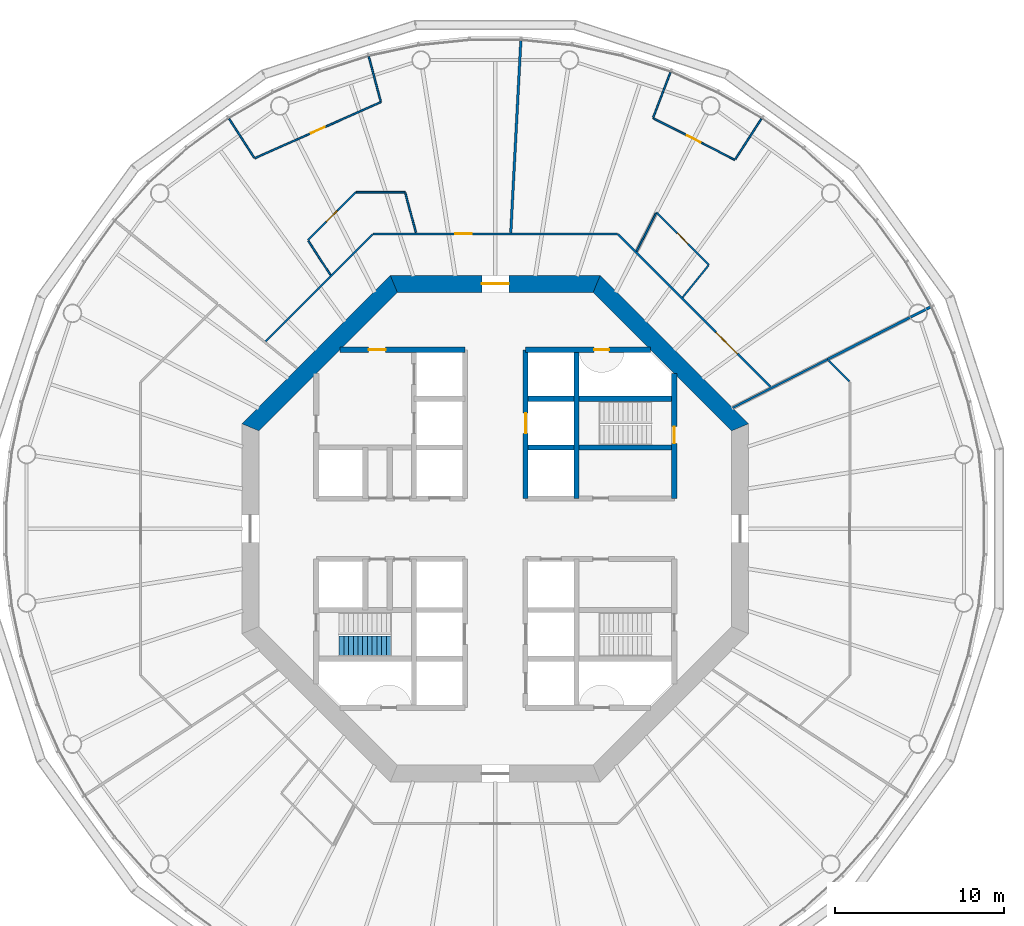
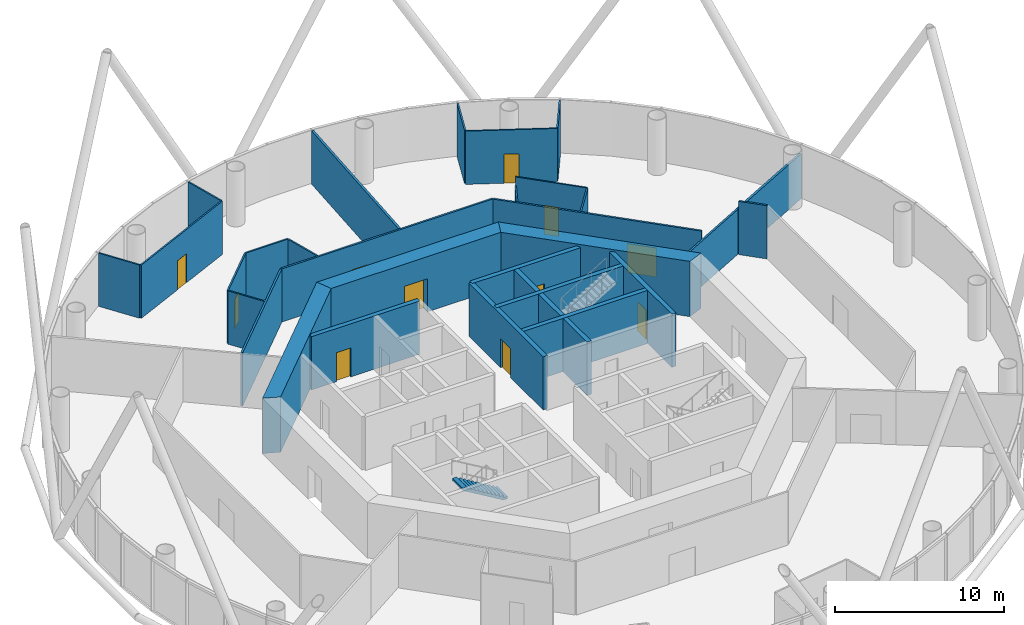
# One storey, part 5 of 13: 30 walls, 11 doors, 1 stair flight, 11 openings, 1 element without a shape of its own.
"""IFC4 building model written with IfcOpenShell, lengths in metres."""

import ifcopenshell
import ifcopenshell.guid

model = None  # the IFC model being written
_history = None  # IfcOwnerHistory: only IFC2X3 demands one
_inside = {}  # id of a spatial element -> (the spatial element, [elements in it])
_under = {}  # id of a project, library or spatial element -> (it, [spatial elements below it])
_declared = {}  # id of a project -> (the project, [libraries it declares])
_typed = {}  # id of a type object -> (the type object, [elements of that type])
_made_of = {}  # id of a material, layer set ... -> (it, [elements and type objects made of it])


def new_model(schema):
    """Start an empty IFC model of exactly this schema.

    Asked for "IFC4X3", IfcOpenShell would pick the latest addendum, in which some entities
    have other attributes; the version numbers below select the first issue.
    IFC2X3 requires an IfcOwnerHistory on every rooted entity: one is made here for all.
    """
    global model, _history
    if schema == "IFC4X3":
        model = ifcopenshell.file(schema_version=(4, 3, 0, 0))
    else:
        model = ifcopenshell.file(schema=schema)
    _inside.clear()
    _under.clear()
    _declared.clear()
    _typed.clear()
    _made_of.clear()
    _history = None
    if model.schema == "IFC2X3":
        org = make("IfcOrganization", Name="unknown")
        user = make(
            "IfcPersonAndOrganization",
            ThePerson=make("IfcPerson", FamilyName="unknown"),
            TheOrganization=org,
        )
        app = make(
            "IfcApplication",
            ApplicationDeveloper=org,
            Version="unknown",
            ApplicationFullName="unknown",
            ApplicationIdentifier="unknown",
        )
        _history = make(
            "IfcOwnerHistory",
            OwningUser=user,
            OwningApplication=app,
            ChangeAction="ADDED",
            CreationDate=0,
        )
    return model


def make(cls, **values):
    """One entity of the class cls with the attributes given. An attribute that is None is left unset."""
    return model.create_entity(
        cls, **{name: value for name, value in values.items() if value is not None}
    )


def rooted(cls, **values):
    """An entity with a GlobalId (a new one), such as an element, a storey or a relation."""
    return make(cls, GlobalId=ifcopenshell.guid.new(), OwnerHistory=_history, **values)


def si_unit(unit_type, name, prefix=None):
    """IfcSIUnit, for example si_unit("LENGTHUNIT", "METRE", prefix="MILLI")."""
    return make("IfcSIUnit", UnitType=unit_type, Prefix=prefix, Name=name)


def assignment(units):
    """IfcUnitAssignment: the units of a project."""
    return None if units is None else make("IfcUnitAssignment", Units=units)


def point(xyz):
    """IfcCartesianPoint."""
    return None if xyz is None else make("IfcCartesianPoint", Coordinates=xyz)


def direction(xyz):
    """IfcDirection."""
    return None if xyz is None else make("IfcDirection", DirectionRatios=xyz)


def frame(location, z_axis=None, x_axis=None):
    """IfcAxis2Placement3D, a coordinate frame: its origin and axes. An axis left out is left unset."""
    return make(
        "IfcAxis2Placement3D",
        Location=point(location),
        Axis=direction(z_axis),
        RefDirection=direction(x_axis),
    )


def frame_2d(location, x_axis=None):
    """IfcAxis2Placement2D, a coordinate frame in the plane: its origin and x axis."""
    return make(
        "IfcAxis2Placement2D", Location=point(location), RefDirection=direction(x_axis)
    )


def origin():
    """The frame at (0, 0, 0) with its axes left unset."""
    return frame((0.0, 0.0, 0.0))


def place(relative_to, where):
    """IfcLocalPlacement: puts the frame where relative to a parent placement (None: the world)."""
    return make(
        "IfcLocalPlacement", PlacementRelTo=relative_to, RelativePlacement=where
    )


def context(
    kind, dimensions, precision=None, world=None, true_north=None, identifier=None
):
    """IfcGeometricRepresentationContext, for example the 3D "Model" context."""
    return make(
        "IfcGeometricRepresentationContext",
        ContextIdentifier=identifier,
        ContextType=kind,
        CoordinateSpaceDimension=dimensions,
        Precision=precision,
        WorldCoordinateSystem=world,
        TrueNorth=true_north,
    )


def subcontext(parent, identifier, kind, view, scale=None):
    """IfcGeometricRepresentationSubContext, for example "Body" below "Model"."""
    return make(
        "IfcGeometricRepresentationSubContext",
        ContextIdentifier=identifier,
        ContextType=kind,
        ParentContext=parent,
        TargetScale=scale,
        TargetView=view,
    )


def project(units=None, contexts=None):
    """IfcProject with its units and contexts."""
    return rooted(
        "IfcProject",
        Name="project",
        RepresentationContexts=contexts,
        UnitsInContext=assignment(units),
    )


def spatial(cls, under=None, at=None, **own):
    """A site, building, storey or space (cls), placed at a placement, below another one or the project."""
    s = rooted(cls, ObjectPlacement=at, **own)
    if under is not None:
        _under.setdefault(under.id(), (under, []))[1].append(s)
    return s


def polyline(points):
    """IfcPolyline through the points."""
    return make("IfcPolyline", Points=[point(p) for p in points])


def profile(cls, at=None, kind="AREA", **sizes):
    """A parametric profile (cls). Its sizes go by their IFC names, for example OverallWidth=200.0."""
    return make(cls, ProfileType=kind, Position=at, **sizes)


def rectangle(**sizes):
    """IfcRectangleProfileDef."""
    return profile("IfcRectangleProfileDef", **sizes)


def outline(outer, holes=None, kind="AREA"):
    """IfcArbitraryClosedProfileDef: a profile drawn as a closed curve; with holes, ...WithVoids."""
    if holes is None:
        return make("IfcArbitraryClosedProfileDef", ProfileType=kind, OuterCurve=outer)
    return make(
        "IfcArbitraryProfileDefWithVoids",
        ProfileType=kind,
        OuterCurve=outer,
        InnerCurves=holes,
    )


def extrude(swept, where, along, depth):
    """IfcExtrudedAreaSolid: the profile swept, set in the frame where, extruded along a direction by depth."""
    return make(
        "IfcExtrudedAreaSolid",
        SweptArea=swept,
        Position=where,
        ExtrudedDirection=direction(along),
        Depth=depth,
    )


def shape(context_of_items, identifier, shape_type, items):
    """IfcShapeRepresentation: the items that make up one representation, for example the "Body"."""
    return make(
        "IfcShapeRepresentation",
        ContextOfItems=context_of_items,
        RepresentationIdentifier=identifier,
        RepresentationType=shape_type,
        Items=items,
    )


def material(Name=None, Category=None):
    """IfcMaterial."""
    return make("IfcMaterial", Name=Name, Category=Category)


def layer(
    of_material, thickness, ventilated=None, Name=None, Category=None, Priority=None
):
    """IfcMaterialLayer: one layer of a wall or slab, of a material (None: an air gap)."""
    return make(
        "IfcMaterialLayer",
        Material=of_material,
        LayerThickness=thickness,
        IsVentilated=ventilated,
        Name=Name,
        Category=Category,
        Priority=Priority,
    )


def layer_set(layers, Name=None):
    """IfcMaterialLayerSet."""
    return make("IfcMaterialLayerSet", MaterialLayers=layers, LayerSetName=Name)


def made_of(thing, what):
    """Note that an element or type object is made of a material, layer set ...; save() writes the relation."""
    if what is not None:
        _made_of.setdefault(what.id(), (what, []))[1].append(thing)
    return thing


def type_object(cls, material=None, **own):
    """A type object (cls), such as IfcWallType, which elements share."""
    return made_of(rooted(cls, **own), material)


def element(
    cls,
    number,
    at=None,
    inside=None,
    cuts=None,
    type_object=None,
    material=None,
    context=None,
    identifier="Body",
    shape_type=None,
    held_by="IfcProductDefinitionShape",
    body=None,
    shapes=None,
    **own,
):
    """One element of the class cls, such as IfcWall. Its Tag is "e" and its number.

    at: its placement. inside: the storey or other place that contains it. cuts: it is an
    opening in that element (IfcRelVoidsElement). A single representation is given by context,
    identifier, shape_type and body (its items); several are given by shapes. held_by: the class
    of the entity that holds the representations. save() writes the other relations.
    """
    e = rooted(cls, Tag="e%d" % number, ObjectPlacement=at, **own)
    if body is not None:
        shapes = [shape(context, identifier, shape_type, body)]
    if shapes is not None:
        e.Representation = make(held_by, Representations=shapes)
    if inside is not None:
        _inside.setdefault(inside.id(), (inside, []))[1].append(e)
    if cuts is not None:
        rooted(
            "IfcRelVoidsElement", RelatingBuildingElement=cuts, RelatedOpeningElement=e
        )
    if type_object is not None:
        _typed.setdefault(type_object.id(), (type_object, []))[1].append(e)
    return made_of(e, material)


def fill(opening, filler):
    """IfcRelFillsElement: the door or window that sits in an opening."""
    return rooted(
        "IfcRelFillsElement",
        RelatingOpeningElement=opening,
        RelatedBuildingElement=filler,
    )


def aggregate(whole, parts):
    """IfcRelAggregates: a whole, such as a stair, and the parts it consists of."""
    return rooted("IfcRelAggregates", RelatingObject=whole, RelatedObjects=parts)


def save(model, path):
    """Write the relations noted so far, then the file.

    IfcRelAggregates (storeys below a building ...), IfcRelContainedInSpatialStructure (elements
    in a storey), IfcRelDefinesByType, IfcRelAssociatesMaterial and IfcRelDeclares: one each for
    every whole, place, type object, material and project.
    """
    for whole, parts in _under.values():
        aggregate(whole, parts)
    for where, things in _inside.values():
        rooted(
            "IfcRelContainedInSpatialStructure",
            RelatedElements=things,
            RelatingStructure=where,
        )
    for kind, things in _typed.values():
        rooted("IfcRelDefinesByType", RelatedObjects=things, RelatingType=kind)
    for what, things in _made_of.values():
        rooted("IfcRelAssociatesMaterial", RelatedObjects=things, RelatingMaterial=what)
    for by, libraries in _declared.values():
        rooted("IfcRelDeclares", RelatingContext=by, RelatedDefinitions=libraries)
    model.write(path)


model = new_model("IFC4")

# Units and contexts
model_context = context("Model", 3, precision=1e-05, world=origin(), true_north=direction((0.0, 1.0)))
body_context = subcontext(model_context, "Body", "Model", "MODEL_VIEW")
ifc_project = project(units=[si_unit("LENGTHUNIT", "METRE"), si_unit("AREAUNIT", "SQUARE_METRE"), si_unit("VOLUMEUNIT", "CUBIC_METRE"), si_unit("PLANEANGLEUNIT", "RADIAN"), si_unit("MASSUNIT", "GRAM", prefix="KILO")], contexts=[model_context])

# Site, building, storey
site_placement = place(None, origin())
site = spatial("IfcSite", under=ifc_project, at=site_placement, CompositionType="ELEMENT")
building_placement = place(site_placement, origin())
building = spatial("IfcBuilding", under=site, at=building_placement, Name="Entoto Ring Tower", CompositionType="ELEMENT")
storey_placement = place(building_placement, frame((0.0, 0.0, 164.0)))
storey = spatial("IfcBuildingStorey", under=building, at=storey_placement, Name="L37", CompositionType="ELEMENT", Elevation=164.0)

# Wall, opening, door
ifc_material_1 = material(Name="Concrete C40/50", Category="concrete")
ifc_layer_1 = layer(ifc_material_1, 0.300048828125)
ifc_layer_set_1 = layer_set([ifc_layer_1], Name="Concrete C40/50")
wall_type_1 = type_object("IfcWallType", Name="Core enclosure wall 300 mm reinforced concrete", PredefinedType="SOLIDWALL", material=ifc_layer_set_1)
wall_1_placement = place(storey_placement, frame((100.60009765625, 81.800048828125, 0.0), z_axis=(0.0, 0.0, 1.0), x_axis=(0.0, 1.0, 0.0)))
wall_1 = element("IfcWall", 1, at=wall_1_placement, inside=storey, type_object=wall_type_1, Name="wall-L37-002", PredefinedType="SOLIDWALL", context=body_context, shape_type="SweptSolid", body=[
    extrude(rectangle(XDim=7.39892578125, YDim=0.300048828125, at=frame_2d((3.699462890625, 0.0))), origin(), (0.0, 0.0, 1.0), 3.85009765625),
])
opening_1_placement = place(wall_1_placement, frame((3.25, 0.0, 0.0)))
opening_1 = element("IfcOpeningElement", 2, at=opening_1_placement, cuts=wall_1, Name="Opening K-17", PredefinedType="OPENING", context=body_context, shape_type="SweptSolid", body=[
    extrude(rectangle(XDim=1.0, YDim=2.10009765625, at=frame_2d((0.5, 1.050048828125))), frame((0.0, 0.16015625, 0.0), z_axis=(0.0, -1.0, 0.0), x_axis=(1.0, 0.0, 0.0)), (0.0, 0.0, 1.0), 0.320068359375),
])
ifc_material_2 = material(Name="Steel door leaf, fire rated", Category="steel")
ifc_layer_2 = layer(ifc_material_2, 0.050048828125)
ifc_layer_set_2 = layer_set([ifc_layer_2], Name="Steel door leaf, fire rated")
door_type_1 = type_object("IfcDoorType", Name="Fire door FD60 1000 x 2100 single leaf", OperationType="NOTDEFINED", PredefinedType="DOOR", material=ifc_layer_set_2)
door_1_placement = place(opening_1_placement, origin())
door_1 = element("IfcDoor", 3, at=door_1_placement, inside=storey, type_object=door_type_1, Name="Door K-17", OperationType="SINGLE_SWING_LEFT", OverallHeight=2.10009765625, OverallWidth=1.0, PredefinedType="DOOR", context=body_context, shape_type="SweptSolid", body=[
    extrude(rectangle(XDim=1.0, YDim=2.10009765625, at=frame_2d((0.5, 1.050048828125))), frame((0.0, 0.02490234375, 0.0), z_axis=(0.0, -1.0, 0.0), x_axis=(1.0, 0.0, 0.0)), (0.0, 0.0, 1.0), 0.050048828125),
])
fill(opening_1, door_1)

# Wall
wall_2_placement = place(storey_placement, frame((94.800048828125, 81.800048828125, 0.0), z_axis=(0.0, 0.0, 1.0), x_axis=(0.0, 1.0, 0.0)))
element("IfcWall", 4, at=wall_2_placement, inside=storey, type_object=wall_type_1, Name="wall-L37-004", PredefinedType="SOLIDWALL", context=body_context, shape_type="SweptSolid", body=[
    extrude(rectangle(XDim=8.800048828125, YDim=0.300048828125, at=frame_2d((4.39990234375, 0.0))), origin(), (0.0, 0.0, 1.0), 3.85009765625),
])

# Wall, opening, door
wall_3_placement = place(storey_placement, frame((91.800048828125, 81.800048828125, 0.0), z_axis=(0.0, 0.0, 1.0), x_axis=(0.0, 1.0, 0.0)))
wall_3 = element("IfcWall", 5, at=wall_3_placement, inside=storey, type_object=wall_type_1, Name="wall-L37-006", PredefinedType="SOLIDWALL", context=body_context, shape_type="SweptSolid", body=[
    extrude(rectangle(XDim=8.800048828125, YDim=0.300048828125, at=frame_2d((4.39990234375, 0.0))), origin(), (0.0, 0.0, 1.0), 3.85009765625),
])
opening_2_placement = place(wall_3_placement, frame((3.85009765625, 0.0, 0.0)))
opening_2 = element("IfcOpeningElement", 6, at=opening_2_placement, cuts=wall_3, Name="Opening LD", PredefinedType="OPENING", context=body_context, shape_type="SweptSolid", body=[
    extrude(rectangle(XDim=1.199951171875, YDim=2.10009765625, at=frame_2d((0.60009765625, 1.050048828125))), frame((0.0, 0.16015625, 0.0), z_axis=(0.0, -1.0, 0.0), x_axis=(1.0, 0.0, 0.0)), (0.0, 0.0, 1.0), 0.320068359375),
])
ifc_material_3 = material(Name="Steel and glass door leaf", Category="steel")
ifc_layer_3 = layer(ifc_material_3, 0.050048828125)
ifc_layer_set_3 = layer_set([ifc_layer_3], Name="Steel and glass door leaf")
door_type_2 = type_object("IfcDoorType", Name="Landing door 1200 x 2100 sliding", OperationType="DOUBLE_DOOR_SLIDING", PredefinedType="DOOR", material=ifc_layer_set_3)
door_2_placement = place(opening_2_placement, origin())
door_2 = element("IfcDoor", 7, at=door_2_placement, inside=storey, type_object=door_type_2, Name="Landing door LB1-MR", OperationType="SLIDING_TO_RIGHT", OverallHeight=2.10009765625, OverallWidth=1.199951171875, PredefinedType="DOOR", context=body_context, shape_type="SweptSolid", body=[
    extrude(rectangle(XDim=1.199951171875, YDim=2.10009765625, at=frame_2d((0.60009765625, 1.050048828125))), frame((0.0, 0.02490234375, 0.0), z_axis=(0.0, -1.0, 0.0), x_axis=(1.0, 0.0, 0.0)), (0.0, 0.0, 1.0), 0.050048828125),
])
fill(opening_2, door_2)

# Walls
for number, where, z_axis, x_axis, name in (
    (8, (91.800048828125, 84.800048828125, 0.0), (0.0, 0.0, 1.0), (1.0, 0.0, 0.0), "wall-L37-028"),
    (9, (91.800048828125, 87.699951171875, 0.0), (0.0, 0.0, 1.0), (1.0, 0.0, 0.0), "wall-L37-030"),
):
    element("IfcWall", number, at=place(storey_placement, frame(where, z_axis=z_axis, x_axis=x_axis)), inside=storey, type_object=wall_type_1, Name=name, PredefinedType="SOLIDWALL", context=body_context, shape_type="SweptSolid", body=[
        extrude(rectangle(XDim=8.800048828125, YDim=0.300048828125, at=frame_2d((4.39990234375, 0.0))), origin(), (0.0, 0.0, 1.0), 3.85009765625),
    ])

# Wall, opening, door
wall_4_placement = place(storey_placement, frame((80.801025390625, 90.60009765625, 0.0), z_axis=(0.0, 0.0, 1.0), x_axis=(1.0, 0.0, 0.0)))
wall_4 = element("IfcWall", 10, at=wall_4_placement, inside=storey, type_object=wall_type_1, Name="wall-L37-031", PredefinedType="SOLIDWALL", context=body_context, shape_type="SweptSolid", body=[
    extrude(rectangle(XDim=7.39892578125, YDim=0.300048828125, at=frame_2d((3.699462890625, 0.0))), origin(), (0.0, 0.0, 1.0), 3.85009765625),
])
opening_3_placement = place(wall_4_placement, frame((1.698974609375, 0.0, 0.0)))
opening_3 = element("IfcOpeningElement", 11, at=opening_3_placement, cuts=wall_4, Name="Opening K-73", PredefinedType="OPENING", context=body_context, shape_type="SweptSolid", body=[
    extrude(rectangle(XDim=1.0, YDim=2.10009765625, at=frame_2d((0.5, 1.050048828125))), frame((0.0, 0.16015625, 0.0), z_axis=(0.0, -1.0, 0.0), x_axis=(1.0, 0.0, 0.0)), (0.0, 0.0, 1.0), 0.320068359375),
])
door_3_placement = place(opening_3_placement, frame((1.0, 0.0, 0.0), z_axis=(0.0, 0.0, 1.0), x_axis=(-1.0, 0.0, 0.0)))
door_3 = element("IfcDoor", 12, at=door_3_placement, inside=storey, type_object=door_type_1, Name="Door K-73", OperationType="SINGLE_SWING_LEFT", OverallHeight=2.10009765625, OverallWidth=1.0, PredefinedType="DOOR", context=body_context, shape_type="SweptSolid", body=[
    extrude(rectangle(XDim=1.0, YDim=2.10009765625, at=frame_2d((0.5, 1.050048828125))), frame((0.0, 0.02490234375, 0.0), z_axis=(0.0, -1.0, 0.0), x_axis=(1.0, 0.0, 0.0)), (0.0, 0.0, 1.0), 0.050048828125),
])
fill(opening_3, door_3)

wall_5_placement = place(storey_placement, frame((91.800048828125, 90.60009765625, 0.0), z_axis=(0.0, 0.0, 1.0), x_axis=(1.0, 0.0, 0.0)))
wall_5 = element("IfcWall", 13, at=wall_5_placement, inside=storey, type_object=wall_type_1, Name="wall-L37-032", PredefinedType="SOLIDWALL", context=body_context, shape_type="SweptSolid", body=[
    extrude(rectangle(XDim=7.39892578125, YDim=0.300048828125, at=frame_2d((3.699462890625, 0.0))), origin(), (0.0, 0.0, 1.0), 3.85009765625),
])
opening_4_placement = place(wall_5_placement, frame((4.050048828125, 0.0, 0.0)))
opening_4 = element("IfcOpeningElement", 14, at=opening_4_placement, cuts=wall_5, Name="Opening K-20", PredefinedType="OPENING", context=body_context, shape_type="SweptSolid", body=[
    extrude(rectangle(XDim=0.89990234375, YDim=2.10009765625, at=frame_2d((0.449951171875, 1.050048828125))), frame((0.0, 0.16015625, 0.0), z_axis=(0.0, -1.0, 0.0), x_axis=(1.0, 0.0, 0.0)), (0.0, 0.0, 1.0), 0.320068359375),
])
ifc_material_4 = material(Name="Steel door leaf, fire rated", Category="steel")
ifc_layer_4 = layer(ifc_material_4, 0.050048828125)
ifc_layer_set_4 = layer_set([ifc_layer_4], Name="Steel door leaf, fire rated")
door_type_3 = type_object("IfcDoorType", Name="Riser door FD60 900 x 2100 single leaf", OperationType="NOTDEFINED", PredefinedType="DOOR", material=ifc_layer_set_4)
door_4_placement = place(opening_4_placement, frame((0.89990234375, 0.0, 0.0), z_axis=(0.0, 0.0, 1.0), x_axis=(-1.0, 0.0, 0.0)))
door_4 = element("IfcDoor", 15, at=door_4_placement, inside=storey, type_object=door_type_3, Name="Door K-20", OperationType="SINGLE_SWING_RIGHT", OverallHeight=2.10009765625, OverallWidth=0.89990234375, PredefinedType="DOOR", context=body_context, shape_type="SweptSolid", body=[
    extrude(rectangle(XDim=0.89990234375, YDim=2.10009765625, at=frame_2d((0.449951171875, 1.050048828125))), frame((0.0, 0.02490234375, 0.0), z_axis=(0.0, -1.0, 0.0), x_axis=(1.0, 0.0, 0.0)), (0.0, 0.0, 1.0), 0.050048828125),
])
fill(opening_4, door_4)

# Wall
ifc_material_5 = material(Name="Concrete C50/60", Category="concrete")
ifc_layer_5 = layer(ifc_material_5, 1.0)
ifc_layer_set_5 = layer_set([ifc_layer_5], Name="Concrete C50/60")
wall_type_2 = type_object("IfcWallType", Name="Core shear wall 1000 mm reinforced concrete C50/60", PredefinedType="SHEAR", material=ifc_layer_set_5)
wall_6_placement = place(storey_placement, frame((104.5, 86.006103515625, 0.0), z_axis=(0.0, 0.0, 1.0), x_axis=(-0.707106781187, 0.707106781187, 0.0)))
element("IfcWall", 16, at=wall_6_placement, inside=storey, type_object=wall_type_2, Name="wall-L37-core-1", PredefinedType="SHEAR", context=body_context, shape_type="SweptSolid", body=[
    extrude(outline(polyline([(-0.20703125, -0.5), (12.21923828125, -0.5), (11.80517578125, 0.5), (0.20703125, 0.5), (-0.20703125, -0.5)])), origin(), (0.0, 0.0, 1.0), 4.0),
])

# Wall, opening, door
wall_7_placement = place(storey_placement, frame((96.006103515625, 94.5, 0.0), z_axis=(0.0, 0.0, 1.0), x_axis=(-1.0, 0.0, 0.0)))
wall_7 = element("IfcWall", 17, at=wall_7_placement, inside=storey, type_object=wall_type_2, Name="wall-L37-core-2", PredefinedType="SHEAR", context=body_context, shape_type="SweptSolid", body=[
    extrude(outline(polyline([(-0.20703125, -0.5), (12.21923828125, -0.5), (11.80517578125, 0.5), (0.20703125, 0.5), (-0.20703125, -0.5)])), origin(), (0.0, 0.0, 1.0), 4.0),
])
opening_5_placement = place(wall_7_placement, frame((5.2060546875, 0.0, 0.0)))
opening_5 = element("IfcOpeningElement", 18, at=opening_5_placement, cuts=wall_7, Name="Opening K-02", PredefinedType="OPENING", context=body_context, shape_type="SweptSolid", body=[
    extrude(rectangle(XDim=1.60009765625, YDim=2.39990234375, at=frame_2d((0.800048828125, 1.199951171875))), frame((0.0, 0.510009765625, 0.0), z_axis=(0.0, -1.0, 0.0), x_axis=(1.0, 0.0, 0.0)), (0.0, 0.0, 1.0), 1.02001953125),
])
ifc_material_6 = material(Name="Steel door leaf, fire rated", Category="steel")
ifc_layer_6 = layer(ifc_material_6, 0.050048828125)
ifc_layer_set_6 = layer_set([ifc_layer_6], Name="Steel door leaf, fire rated")
door_type_4 = type_object("IfcDoorType", Name="Entrance door FD60 1600 x 2400 double leaf", OperationType="DOUBLE_DOOR_SINGLE_SWING", PredefinedType="DOOR", material=ifc_layer_set_6)
door_5_placement = place(opening_5_placement, origin())
door_5 = element("IfcDoor", 19, at=door_5_placement, inside=storey, type_object=door_type_4, Name="Entrance door K-02", OperationType="DOUBLE_DOOR_SINGLE_SWING", OverallHeight=2.39990234375, OverallWidth=1.60009765625, PredefinedType="DOOR", context=body_context, shape_type="SweptSolid", body=[
    extrude(rectangle(XDim=1.60009765625, YDim=2.39990234375, at=frame_2d((0.800048828125, 1.199951171875))), frame((0.0, 0.02490234375, 0.0), z_axis=(0.0, -1.0, 0.0), x_axis=(1.0, 0.0, 0.0)), (0.0, 0.0, 1.0), 0.050048828125),
])
fill(opening_5, door_5)

# Wall
wall_8_placement = place(storey_placement, frame((83.993896484375, 94.5, 0.0), z_axis=(0.0, 0.0, 1.0), x_axis=(-0.707106781187, -0.707106781187, 0.0)))
element("IfcWall", 20, at=wall_8_placement, inside=storey, type_object=wall_type_2, Name="wall-L37-core-3", PredefinedType="SHEAR", context=body_context, shape_type="SweptSolid", body=[
    extrude(outline(polyline([(-0.20703125, -0.5), (12.21923828125, -0.5), (11.80517578125, 0.5), (0.20703125, 0.5), (-0.20703125, -0.5)])), origin(), (0.0, 0.0, 1.0), 4.0),
])

# Wall, opening, door
ifc_material_7 = material(Name="Fire-resisting plasterboard on steel studs", Category="steel")
ifc_layer_7 = layer(ifc_material_7, 0.125)
ifc_layer_set_7 = layer_set([ifc_layer_7], Name="Fire-resisting plasterboard on steel studs")
wall_type_3 = type_object("IfcWallType", Name="Corridor wall 125 mm one-hour plasterboard on steel studs", PredefinedType="PARTITIONING", material=ifc_layer_set_7)
wall_9_placement = place(storey_placement, frame((82.766845703125, 97.46240234375, 0.0), z_axis=(0.0, 0.0, 1.0), x_axis=(1.0, 0.0, 0.0)))
wall_9 = element("IfcWall", 21, at=wall_9_placement, inside=storey, type_object=wall_type_3, Name="partition-L37-004", PredefinedType="PARTITIONING", context=body_context, shape_type="SweptSolid", body=[
    extrude(rectangle(XDim=14.46630859375, YDim=0.125, at=frame_2d((7.233154296875, 0.0))), origin(), (0.0, 0.0, 1.0), 3.85009765625),
])
opening_6_placement = place(wall_9_placement, frame((4.851318359375, 0.0, 0.0)))
opening_6 = element("IfcOpeningElement", 22, at=opening_6_placement, cuts=wall_9, Name="Opening A16-D06", PredefinedType="OPENING", context=body_context, shape_type="SweptSolid", body=[
    extrude(rectangle(XDim=1.0, YDim=2.10009765625, at=frame_2d((0.5, 1.050048828125))), frame((0.0, 0.072509765625, 0.0), z_axis=(0.0, -1.0, 0.0), x_axis=(1.0, 0.0, 0.0)), (0.0, 0.0, 1.0), 0.14501953125),
])
ifc_material_8 = material(Name="Fire-resisting timber door set", Category="wood")
door_type_5 = type_object("IfcDoorType", Name="Door 1000 x 2100 single leaf FD30S fire door", OperationType="NOTDEFINED", PredefinedType="DOOR", material=ifc_material_8)
door_6_placement = place(opening_6_placement, origin())
door_6 = element("IfcDoor", 23, at=door_6_placement, inside=storey, type_object=door_type_5, Name="Door A16-D06", OperationType="SINGLE_SWING_RIGHT", OverallHeight=2.10009765625, OverallWidth=1.0, PredefinedType="DOOR", context=body_context, shape_type="SweptSolid", body=[
    extrude(rectangle(XDim=1.0, YDim=2.10009765625, at=frame_2d((0.5, 1.050048828125))), frame((0.0, 0.02490234375, 0.0), z_axis=(0.0, -1.0, 0.0), x_axis=(1.0, 0.0, 0.0)), (0.0, 0.0, 1.0), 0.050048828125),
])
fill(opening_6, door_6)

wall_10_placement = place(storey_placement, frame((106.29931640625, 88.396484375, 0.0), z_axis=(0.0, 0.0, 1.0), x_axis=(-0.707106781187, 0.707106781187, 0.0)))
wall_10 = element("IfcWall", 24, at=wall_10_placement, inside=storey, type_object=wall_type_3, Name="partition-L37-005", PredefinedType="PARTITIONING", context=body_context, shape_type="SweptSolid", body=[
    extrude(rectangle(XDim=12.77734375, YDim=0.125, at=frame_2d((6.388671875, 0.0))), origin(), (0.0, 0.0, 1.0), 3.85009765625),
])
opening_7_placement = place(wall_10_placement, frame((2.768798828125, 0.0, 0.0)))
opening_7 = element("IfcOpeningElement", 25, at=opening_7_placement, cuts=wall_10, Name="Opening A16-D03", PredefinedType="OPENING", context=body_context, shape_type="SweptSolid", body=[
    extrude(rectangle(XDim=1.800048828125, YDim=2.10009765625, at=frame_2d((0.89990234375, 1.050048828125))), frame((0.0, 0.072509765625, 0.0), z_axis=(0.0, -1.0, 0.0), x_axis=(1.0, 0.0, 0.0)), (0.0, 0.0, 1.0), 0.14501953125),
])
ifc_material_9 = material(Name="Fire-resisting timber door set", Category="wood")
door_type_6 = type_object("IfcDoorType", Name="Door 1800 x 2100 double leaf FD30S fire door", OperationType="DOUBLE_DOOR_SINGLE_SWING", PredefinedType="DOOR", material=ifc_material_9)
door_7_placement = place(opening_7_placement, frame((1.800048828125, 0.0, 0.0), z_axis=(0.0, 0.0, 1.0), x_axis=(-1.0, 0.0, 0.0)))
door_7 = element("IfcDoor", 26, at=door_7_placement, inside=storey, type_object=door_type_6, Name="Door A16-D03", OperationType="DOUBLE_DOOR_SINGLE_SWING", OverallHeight=2.10009765625, OverallWidth=1.800048828125, PredefinedType="DOOR", context=body_context, shape_type="SweptSolid", body=[
    extrude(rectangle(XDim=1.800048828125, YDim=2.10009765625, at=frame_2d((0.89990234375, 1.050048828125))), frame((0.0, 0.02490234375, 0.0), z_axis=(0.0, -1.0, 0.0), x_axis=(1.0, 0.0, 0.0)), (0.0, 0.0, 1.0), 0.050048828125),
])
fill(opening_7, door_7)

# Walls
wall_11_placement = place(storey_placement, frame((76.4033203125, 91.09912109375, 0.0), z_axis=(0.0, 0.0, 1.0), x_axis=(0.707106781187, 0.707106781187, 0.0)))
element("IfcWall", 27, at=wall_11_placement, inside=storey, type_object=wall_type_3, Name="partition-L37-008", PredefinedType="PARTITIONING", context=body_context, shape_type="SweptSolid", body=[
    extrude(rectangle(XDim=8.955078125, YDim=0.125, at=frame_2d((4.4775390625, 0.0))), origin(), (0.0, 0.0, 1.0), 3.85009765625),
])
wall_12_placement = place(storey_placement, frame((110.968994140625, 88.7294921875, 0.0), z_axis=(0.0, 0.0, 1.0), x_axis=(-0.707106781187, 0.707106781187, 0.0)))
element("IfcWall", 28, at=wall_12_placement, inside=storey, type_object=wall_type_3, Name="partition-L37-016", PredefinedType="PARTITIONING", context=body_context, shape_type="SweptSolid", body=[
    extrude(rectangle(XDim=1.732177734375, YDim=0.125, at=frame_2d((0.8662109375, 0.0))), origin(), (0.0, 0.0, 1.0), 3.85009765625),
])
ifc_material_10 = material(Name="Fire-resisting plasterboard on steel studs", Category="steel")
ifc_layer_8 = layer(ifc_material_10, 0.125)
ifc_layer_set_8 = layer_set([ifc_layer_8], Name="Fire-resisting plasterboard on steel studs")
wall_type_4 = type_object("IfcWallType", Name="Corridor wall 125 mm one-hour plasterboard on steel studs, 3250 mm high", PredefinedType="PARTITIONING", material=ifc_layer_set_8)
wall_13_placement = place(storey_placement, frame((104.052978515625, 87.160400390625, 0.0), z_axis=(0.0, 0.0, 1.0), x_axis=(0.891011438751, 0.453980854238, 0.0)))
element("IfcWall", 29, at=wall_13_placement, inside=storey, type_object=wall_type_4, Name="partition-L37-010", PredefinedType="PARTITIONING", context=body_context, shape_type="SweptSolid", body=[
    extrude(rectangle(XDim=6.30859375, YDim=0.125, at=frame_2d((3.154296875, 0.0))), origin(), (0.0, 0.0, 1.0), 3.25),
])

# Wall, opening, door
ifc_material_11 = material(Name="Plasterboard on steel studs", Category="steel")
ifc_layer_9 = layer(ifc_material_11, 0.10009765625)
ifc_layer_set_9 = layer_set([ifc_layer_9], Name="Plasterboard on steel studs")
wall_type_5 = type_object("IfcWallType", Name="Partition 100 mm plasterboard on steel studs", PredefinedType="PARTITIONING", material=ifc_layer_set_9)
wall_14_placement = place(storey_placement, frame((75.752197265625, 101.939697265625, 0.0), z_axis=(0.0, 0.0, 1.0), x_axis=(0.913551816453, 0.406722360652, 0.0)))
wall_14 = element("IfcWall", 30, at=wall_14_placement, inside=storey, type_object=wall_type_5, Name="partition-L37-022", PredefinedType="PARTITIONING", context=body_context, shape_type="SweptSolid", body=[
    extrude(rectangle(XDim=8.1845703125, YDim=0.10009765625, at=frame_2d((4.09228515625, 0.0))), origin(), (0.0, 0.0, 1.0), 3.85009765625),
])
opening_8_placement = place(wall_14_placement, frame((3.642333984375, 0.0, 0.0)))
opening_8 = element("IfcOpeningElement", 31, at=opening_8_placement, cuts=wall_14, Name="Opening A16-D08", PredefinedType="OPENING", context=body_context, shape_type="SweptSolid", body=[
    extrude(rectangle(XDim=0.89990234375, YDim=2.10009765625, at=frame_2d((0.449951171875, 1.050048828125))), frame((0.0, 0.06005859375, 0.0), z_axis=(0.0, -1.0, 0.0), x_axis=(1.0, 0.0, 0.0)), (0.0, 0.0, 1.0), 0.1201171875),
])
ifc_material_12 = material(Name="Veneered timber door leaf in timber frame", Category="wood")
door_type_7 = type_object("IfcDoorType", Name="Door 900 x 2100 single leaf timber veneer", OperationType="NOTDEFINED", PredefinedType="DOOR", material=ifc_material_12)
door_8_placement = place(opening_8_placement, origin())
door_8 = element("IfcDoor", 32, at=door_8_placement, inside=storey, type_object=door_type_7, Name="Door A16-D08", OperationType="SINGLE_SWING_LEFT", OverallHeight=2.10009765625, OverallWidth=0.89990234375, PredefinedType="DOOR", context=body_context, shape_type="SweptSolid", body=[
    extrude(rectangle(XDim=0.89990234375, YDim=2.10009765625, at=frame_2d((0.449951171875, 1.050048828125))), frame((0.0, 0.02490234375, 0.0), z_axis=(0.0, -1.0, 0.0), x_axis=(1.0, 0.0, 0.0)), (0.0, 0.0, 1.0), 0.050048828125),
])
fill(opening_8, door_8)

wall_15_placement = place(storey_placement, frame((104.187744140625, 101.847412109375, 0.0), z_axis=(0.0, 0.0, 1.0), x_axis=(-0.891003229328, 0.453996966209, 0.0)))
wall_15 = element("IfcWall", 33, at=wall_15_placement, inside=storey, type_object=wall_type_5, Name="partition-L37-024", PredefinedType="PARTITIONING", context=body_context, shape_type="SweptSolid", body=[
    extrude(rectangle(XDim=5.44580078125, YDim=0.10009765625, at=frame_2d((2.722900390625, 0.0))), origin(), (0.0, 0.0, 1.0), 3.85009765625),
])
opening_9_placement = place(wall_15_placement, frame((2.27294921875, 0.0, 0.0)))
opening_9 = element("IfcOpeningElement", 34, at=opening_9_placement, cuts=wall_15, Name="Opening A16-D05", PredefinedType="OPENING", context=body_context, shape_type="SweptSolid", body=[
    extrude(rectangle(XDim=0.89990234375, YDim=2.10009765625, at=frame_2d((0.449951171875, 1.050048828125))), frame((0.0, 0.06005859375, 0.0), z_axis=(0.0, -1.0, 0.0), x_axis=(1.0, 0.0, 0.0)), (0.0, 0.0, 1.0), 0.1201171875),
])
door_9_placement = place(opening_9_placement, frame((0.89990234375, 0.0, 0.0), z_axis=(0.0, 0.0, 1.0), x_axis=(-1.0, 0.0, 0.0)))
door_9 = element("IfcDoor", 35, at=door_9_placement, inside=storey, type_object=door_type_7, Name="Door A16-D05", OperationType="SINGLE_SWING_LEFT", OverallHeight=2.10009765625, OverallWidth=0.89990234375, PredefinedType="DOOR", context=body_context, shape_type="SweptSolid", body=[
    extrude(rectangle(XDim=0.89990234375, YDim=2.10009765625, at=frame_2d((0.449951171875, 1.050048828125))), frame((0.0, 0.02490234375, 0.0), z_axis=(0.0, -1.0, 0.0), x_axis=(1.0, 0.0, 0.0)), (0.0, 0.0, 1.0), 0.050048828125),
])
fill(opening_9, door_9)

wall_16_placement = place(storey_placement, frame((102.6572265625, 95.630615234375, 0.0), z_axis=(0.0, 0.0, 1.0), x_axis=(-0.707106781187, 0.707106781187, 0.0)))
wall_16 = element("IfcWall", 36, at=wall_16_placement, inside=storey, type_object=wall_type_5, Name="partition-L37-026", PredefinedType="PARTITIONING", context=body_context, shape_type="SweptSolid", body=[
    extrude(rectangle(XDim=4.396728515625, YDim=0.10009765625, at=frame_2d((2.1982421875, 0.0))), origin(), (0.0, 0.0, 1.0), 3.85009765625),
])
opening_10_placement = place(wall_16_placement, frame((1.748291015625, 0.0, 0.0)))
opening_10 = element("IfcOpeningElement", 37, at=opening_10_placement, cuts=wall_16, Name="Opening A16-D04", PredefinedType="OPENING", context=body_context, shape_type="SweptSolid", body=[
    extrude(rectangle(XDim=0.89990234375, YDim=2.10009765625, at=frame_2d((0.449951171875, 1.050048828125))), frame((0.0, 0.06005859375, 0.0), z_axis=(0.0, -1.0, 0.0), x_axis=(1.0, 0.0, 0.0)), (0.0, 0.0, 1.0), 0.1201171875),
])
door_10_placement = place(opening_10_placement, origin())
door_10 = element("IfcDoor", 38, at=door_10_placement, inside=storey, type_object=door_type_7, Name="Door A16-D04", OperationType="SINGLE_SWING_RIGHT", OverallHeight=2.10009765625, OverallWidth=0.89990234375, PredefinedType="DOOR", context=body_context, shape_type="SweptSolid", body=[
    extrude(rectangle(XDim=0.89990234375, YDim=2.10009765625, at=frame_2d((0.449951171875, 1.050048828125))), frame((0.0, 0.02490234375, 0.0), z_axis=(0.0, -1.0, 0.0), x_axis=(1.0, 0.0, 0.0)), (0.0, 0.0, 1.0), 0.050048828125),
])
fill(opening_10, door_10)

wall_17_placement = place(storey_placement, frame((78.901611328125, 97.09033203125, 0.0), z_axis=(0.0, 0.0, 1.0), x_axis=(0.707076410445, 0.707137150623, 0.0)))
wall_17 = element("IfcWall", 39, at=wall_17_placement, inside=storey, type_object=wall_type_5, Name="partition-L37-027", PredefinedType="PARTITIONING", context=body_context, shape_type="SweptSolid", body=[
    extrude(rectangle(XDim=4.01953125, YDim=0.10009765625, at=frame_2d((2.009765625, 0.0))), origin(), (0.0, 0.0, 1.0), 3.85009765625),
])
opening_11_placement = place(wall_17_placement, frame((1.559814453125, 0.0, 0.0)))
opening_11 = element("IfcOpeningElement", 40, at=opening_11_placement, cuts=wall_17, Name="Opening A16-D07", PredefinedType="OPENING", context=body_context, shape_type="SweptSolid", body=[
    extrude(rectangle(XDim=0.89990234375, YDim=2.10009765625, at=frame_2d((0.449951171875, 1.050048828125))), frame((0.0, 0.06005859375, 0.0), z_axis=(0.0, -1.0, 0.0), x_axis=(1.0, 0.0, 0.0)), (0.0, 0.0, 1.0), 0.1201171875),
])
door_11_placement = place(opening_11_placement, frame((0.89990234375, 0.0, 0.0), z_axis=(0.0, 0.0, 1.0), x_axis=(-1.0, 0.0, 0.0)))
door_11 = element("IfcDoor", 41, at=door_11_placement, inside=storey, type_object=door_type_7, Name="Door A16-D07", OperationType="SINGLE_SWING_RIGHT", OverallHeight=2.10009765625, OverallWidth=0.89990234375, PredefinedType="DOOR", context=body_context, shape_type="SweptSolid", body=[
    extrude(rectangle(XDim=0.89990234375, YDim=2.10009765625, at=frame_2d((0.449951171875, 1.050048828125))), frame((0.0, 0.02490234375, 0.0), z_axis=(0.0, -1.0, 0.0), x_axis=(1.0, 0.0, 0.0)), (0.0, 0.0, 1.0), 0.050048828125),
])
fill(opening_11, door_11)

# Walls
wall_18_placement = place(storey_placement, frame((81.77880859375, 99.9326171875, 0.0), z_axis=(0.0, 0.0, 1.0), x_axis=(1.0, 0.0, 0.0)))
element("IfcWall", 42, at=wall_18_placement, inside=storey, type_object=wall_type_5, Name="partition-L37-030", PredefinedType="PARTITIONING", context=body_context, shape_type="SweptSolid", body=[
    extrude(rectangle(XDim=2.88037109375, YDim=0.10009765625, at=frame_2d((1.440185546875, 0.0))), origin(), (0.0, 0.0, 1.0), 3.85009765625),
])
for number, where, z_axis, x_axis, name in (
    (43, (99.353271484375, 104.3662109375, 0.0), (0.0, 0.0, 1.0), (0.358356915228, 0.9335846621, 0.0), "partition-L37-031"),
    (44, (104.21484375, 101.888916015625, 0.0), (0.0, 0.0, 1.0), (0.544683174353, 0.838641901872, 0.0), "partition-L37-032"),
):
    element("IfcWall", number, at=place(storey_placement, frame(where, z_axis=z_axis, x_axis=x_axis)), inside=storey, type_object=wall_type_5, Name=name, PredefinedType="PARTITIONING", context=body_context, shape_type="SweptSolid", body=[
        extrude(rectangle(XDim=2.84033203125, YDim=0.10009765625, at=frame_2d((1.420166015625, 0.0))), origin(), (0.0, 0.0, 1.0), 3.85009765625),
    ])
for number, where, z_axis, x_axis, name in (
    (45, (75.725341796875, 101.98095703125, 0.0), (0.0, 0.0, 1.0), (-0.544674048397, 0.83864782895, 0.0), "partition-L37-033"),
    (46, (83.216552734375, 105.316162109375, 0.0), (0.0, 0.0, 1.0), (-0.258825461821, 0.965924106912, 0.0), "partition-L37-034"),
):
    element("IfcWall", number, at=place(storey_placement, frame(where, z_axis=z_axis, x_axis=x_axis)), inside=storey, type_object=wall_type_5, Name=name, PredefinedType="PARTITIONING", context=body_context, shape_type="SweptSolid", body=[
        extrude(rectangle(XDim=2.730712890625, YDim=0.10009765625, at=frame_2d((1.365234375, 0.0))), origin(), (0.0, 0.0, 1.0), 3.85009765625),
    ])
wall_19_placement = place(storey_placement, frame((85.30078125, 97.537841796875, 0.0), z_axis=(0.0, 0.0, 1.0), x_axis=(-0.258806364148, 0.965929224051, 0.0)))
element("IfcWall", 47, at=wall_19_placement, inside=storey, type_object=wall_type_5, Name="partition-L37-041", PredefinedType="PARTITIONING", context=body_context, shape_type="SweptSolid", body=[
    extrude(rectangle(XDim=2.430908203125, YDim=0.10009765625, at=frame_2d((1.21533203125, 0.0))), origin(), (0.0, 0.0, 1.0), 3.85009765625),
])
wall_20_placement = place(storey_placement, frame((101.093017578125, 93.698486328125, 0.0), z_axis=(0.0, 0.0, 1.0), x_axis=(0.629327945693, 0.777139843766, 0.0)))
element("IfcWall", 48, at=wall_20_placement, inside=storey, type_object=wall_type_5, Name="partition-L37-042", PredefinedType="PARTITIONING", context=body_context, shape_type="SweptSolid", body=[
    extrude(rectangle(XDim=2.436279296875, YDim=0.10009765625, at=frame_2d((1.21826171875, 0.0))), origin(), (0.0, 0.0, 1.0), 3.85009765625),
])
wall_21_placement = place(storey_placement, frame((80.236083984375, 95.034912109375, 0.0), z_axis=(0.0, 0.0, 1.0), x_axis=(-0.544620299585, 0.838682734579, 0.0)))
element("IfcWall", 49, at=wall_21_placement, inside=storey, type_object=wall_type_5, Name="partition-L37-043", PredefinedType="PARTITIONING", context=body_context, shape_type="SweptSolid", body=[
    extrude(rectangle(XDim=2.40185546875, YDim=0.10009765625, at=frame_2d((1.200927734375, 0.0))), origin(), (0.0, 0.0, 1.0), 3.85009765625),
])
ifc_material_13 = material(Name="Plasterboard on steel studs", Category="steel")
ifc_layer_10 = layer(ifc_material_13, 0.10009765625)
ifc_layer_set_10 = layer_set([ifc_layer_10], Name="Plasterboard on steel studs")
wall_type_6 = type_object("IfcWallType", Name="Partition 100 mm plasterboard on steel studs, 3250 mm high", PredefinedType="PARTITIONING", material=ifc_layer_set_10)
wall_22_placement = place(storey_placement, frame((98.372802734375, 96.432861328125, 0.0), z_axis=(0.0, 0.0, 1.0), x_axis=(0.454020100555, 0.8909914412, 0.0)))
element("IfcWall", 50, at=wall_22_placement, inside=storey, type_object=wall_type_6, Name="partition-L37-039", PredefinedType="PARTITIONING", context=body_context, shape_type="SweptSolid", body=[
    extrude(rectangle(XDim=2.520263671875, YDim=0.10009765625, at=frame_2d((1.26025390625, 0.0))), origin(), (0.0, 0.0, 1.0), 3.25),
])
ifc_material_14 = material(Name="Fire-resisting acoustic plasterboard on steel studs", Category="steel")
ifc_layer_11 = layer(ifc_material_14, 0.14990234375)
ifc_layer_set_11 = layer_set([ifc_layer_11], Name="Fire-resisting acoustic plasterboard on steel studs")
wall_type_7 = type_object("IfcWallType", Name="Party wall 150 mm one-hour acoustic plasterboard on steel studs", PredefinedType="PARTITIONING", material=ifc_layer_set_11)
wall_23_placement = place(storey_placement, frame((90.918701171875, 97.52880859375, 0.0), z_axis=(0.0, 0.0, 1.0), x_axis=(0.052334896944, 0.99862959027, 0.0)))
element("IfcWall", 51, at=wall_23_placement, inside=storey, type_object=wall_type_7, Name="partition-L37-017", PredefinedType="PARTITIONING", context=body_context, shape_type="SweptSolid", body=[
    extrude(rectangle(XDim=11.38720703125, YDim=0.14990234375, at=frame_2d((5.693603515625, 0.0))), origin(), (0.0, 0.0, 1.0), 3.85009765625),
])
ifc_material_15 = material(Name="Fire-resisting acoustic plasterboard on steel studs", Category="steel")
ifc_layer_12 = layer(ifc_material_15, 0.14990234375)
ifc_layer_set_12 = layer_set([ifc_layer_12], Name="Fire-resisting acoustic plasterboard on steel studs")
wall_type_8 = type_object("IfcWallType", Name="Party wall 150 mm one-hour acoustic plasterboard on steel studs, 3250 mm high", PredefinedType="PARTITIONING", material=ifc_layer_set_12)
wall_24_placement = place(storey_placement, frame((109.67431640625, 90.0244140625, 0.0), z_axis=(0.0, 0.0, 1.0), x_axis=(0.890998476184, 0.454006294492, 0.0)))
element("IfcWall", 52, at=wall_24_placement, inside=storey, type_object=wall_type_8, Name="partition-L37-021", PredefinedType="PARTITIONING", context=body_context, shape_type="SweptSolid", body=[
    extrude(rectangle(XDim=6.85888671875, YDim=0.14990234375, at=frame_2d((3.429443359375, 0.0))), origin(), (0.0, 0.0, 1.0), 3.25),
])

# Stair, stair flight
ifc_material_16 = material(Name="Concrete C40/50", Category="concrete")
stair_type = type_object("IfcStairType", Name="Exit stair 1200 mm dog-leg reinforced concrete", PredefinedType="HALF_TURN_STAIR", material=ifc_material_16)
stair_placement = place(storey_placement, origin())
stair = element("IfcStair", 53, at=stair_placement, inside=storey, type_object=stair_type, Name="Exit stair 2", PredefinedType="HALF_TURN_STAIR")
ifc_material_17 = material(Name="Concrete C40/50", Category="concrete")
stair_flight_type = type_object("IfcStairFlightType", Name="Stair flight 1200 mm reinforced concrete", PredefinedType="STRAIGHT", material=ifc_material_17)
stair_flight_placement = place(storey_placement, frame((83.830078125, 73.050048828125, 2.0), z_axis=(0.0, 0.0, 1.0), x_axis=(-1.0, 0.0, 0.0)))
stair_flight = element("IfcStairFlight", 54, at=stair_flight_placement, type_object=stair_flight_type, Name="ST2 flight 2", NumberOfRisers=12, NumberOfTreads=11, PredefinedType="STRAIGHT", RiserHeight=0.166666667, TreadLength=0.28, context=body_context, shape_type="SweptSolid", body=[
    extrude(outline(polyline([(0.0, 0.0), (0.0, 0.166748046875), (0.280029296875, 0.166748046875), (0.280029296875, 0.333251953125), (0.56005859375, 0.333251953125), (0.56005859375, 0.5), (0.840087890625, 0.5), (0.840087890625, 0.666748046875), (1.1201171875, 0.666748046875), (1.1201171875, 0.833251953125), (1.39990234375, 0.833251953125), (1.39990234375, 1.0), (1.679931640625, 1.0), (1.679931640625, 1.166748046875), (1.9599609375, 1.166748046875), (1.9599609375, 1.333251953125), (2.239990234375, 1.333251953125), (2.239990234375, 1.5), (2.52001953125, 1.5), (2.52001953125, 1.666748046875), (2.800048828125, 1.666748046875), (2.800048828125, 1.833251953125), (3.080078125, 1.833251953125), (3.080078125, 2.0), (3.080078125, 1.658935546875), (0.29296875, 0.0), (0.0, 0.0)])), frame((0.0, 0.60009765625, 0.0), z_axis=(0.0, -1.0, 0.0), x_axis=(1.0, 0.0, 0.0)), (0.0, 0.0, 1.0), 1.199951171875),
])
aggregate(stair, [stair_flight])

save(model, "model.ifc")
